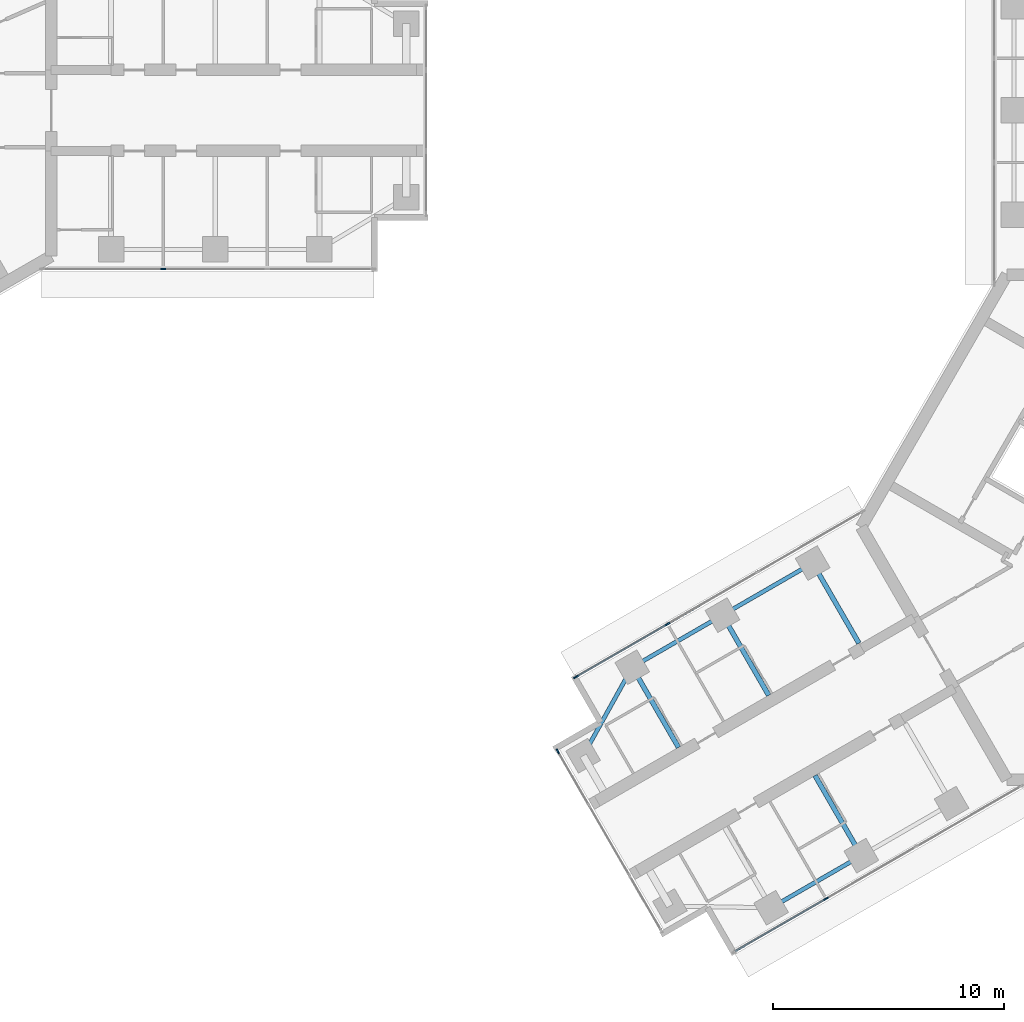
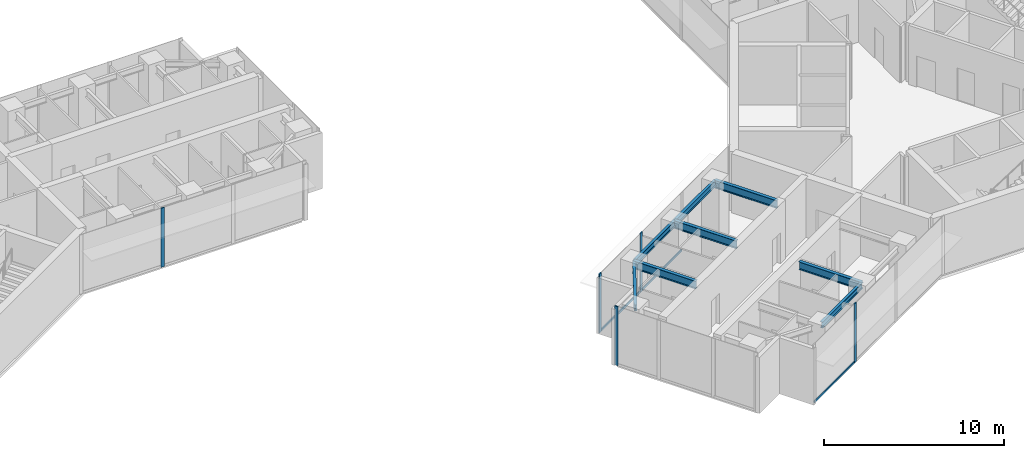
# One storey, part 3 of 18: 8 beams, 8 members, 4 elements without a shape of their own.
"""IFC4 building model written with IfcOpenShell, lengths in metres."""

from ifc_helpers import new_model, si_unit, direction, frame, origin, origin_2d, place, context, subcontext, project, spatial, rectangle, i_section, extrude, material, material_profile, profile_set, type_object, element, aggregate, save


model = new_model("IFC4")

# Units and contexts
model_context = context("Model", 3, precision=1e-05, world=origin(), true_north=direction((0.0, 1.0)))
body_context = subcontext(model_context, "Body", "Model", "MODEL_VIEW")
ifc_project = project(units=[si_unit("LENGTHUNIT", "METRE"), si_unit("AREAUNIT", "SQUARE_METRE"), si_unit("VOLUMEUNIT", "CUBIC_METRE"), si_unit("PLANEANGLEUNIT", "RADIAN"), si_unit("MASSUNIT", "GRAM", prefix="KILO")], contexts=[model_context])

# Site, building, storey
site_placement = place(None, origin())
site = spatial("IfcSite", under=ifc_project, at=site_placement, CompositionType="ELEMENT")
building_placement = place(site_placement, origin())
building = spatial("IfcBuilding", under=site, at=building_placement, Name="Upepo Twin Towers", CompositionType="ELEMENT")
storey_placement = place(building_placement, frame((0.0, 0.0, 222.5)))
storey = spatial("IfcBuildingStorey", under=building, at=storey_placement, Name="L54", CompositionType="ELEMENT", Elevation=222.5)

# Beams
ifc_material_1 = material(Name="Steel S355", Category="steel")
ifc_material_profile_1 = material_profile(ifc_material_1, i_section(OverallWidth=0.177978515625, OverallDepth=0.406494140625, WebThickness=0.0078125, FlangeThickness=0.0126953125, FilletRadius=0.01025390625, at=origin_2d()), Name="UB 406x178x60")
ifc_profile_set_1 = profile_set([ifc_material_profile_1], Name="Steel S355")
beam_type_1 = type_object("IfcBeamType", Name="Beam UB 406x178x60", PredefinedType="BEAM", material=ifc_profile_set_1)
beam_1_placement = place(storey_placement, frame((45.91162109375, -32.196044921875, 3.5966796875), z_axis=(-0.866031096941, -0.499990139034, 0.0), x_axis=(0.499990139034, -0.866031096941, 0.0)))
element("IfcBeam", 1, at=beam_1_placement, inside=storey, type_object=beam_type_1, Name="T2 edge beam BL 18.0-22.5", PredefinedType="BEAM", context=body_context, shape_type="SweptSolid", body=[
    extrude(i_section(OverallWidth=0.177978515625, OverallDepth=0.406494140625, WebThickness=0.0078125, FlangeThickness=0.0126953125, FilletRadius=0.01025390625, at=origin_2d()), origin(), (0.0, 0.0, 1.0), 4.5),
])
beam_2_placement = place(storey_placement, frame((43.80859375, -19.553955078125, 3.5966796875), z_axis=(-0.866017533419, -0.500013631625, 0.0), x_axis=(0.500013631625, -0.866017533419, 0.0)))
element("IfcBeam", 2, at=beam_2_placement, inside=storey, type_object=beam_type_1, Name="T2 edge beam BR 13.5-18.0", PredefinedType="BEAM", context=body_context, shape_type="SweptSolid", body=[
    extrude(i_section(OverallWidth=0.177978515625, OverallDepth=0.406494140625, WebThickness=0.0078125, FlangeThickness=0.0126953125, FilletRadius=0.01025390625, at=origin_2d()), origin(), (0.0, 0.0, 1.0), 4.499755859375),
])
beam_3_placement = place(storey_placement, frame((39.91162109375, -21.803955078125, 3.5966796875), z_axis=(-0.866031096941, -0.499990139034, 0.0), x_axis=(0.499990139034, -0.866031096941, 0.0)))
element("IfcBeam", 3, at=beam_3_placement, inside=storey, type_object=beam_type_1, Name="T2 edge beam BR 18.0-22.5", PredefinedType="BEAM", context=body_context, shape_type="SweptSolid", body=[
    extrude(i_section(OverallWidth=0.177978515625, OverallDepth=0.406494140625, WebThickness=0.0078125, FlangeThickness=0.0126953125, FilletRadius=0.01025390625, at=origin_2d()), origin(), (0.0, 0.0, 1.0), 4.5),
])
beam_4_placement = place(storey_placement, frame((36.014404296875, -24.053955078125, 3.5966796875), z_axis=(-0.485363242752, -0.874312600038, 0.0), x_axis=(0.874312600038, -0.485363242752, 0.0)))
element("IfcBeam", 4, at=beam_4_placement, inside=storey, type_object=beam_type_1, Name="T2 nose edge beam BR", PredefinedType="BEAM", context=body_context, shape_type="SweptSolid", body=[
    extrude(i_section(OverallWidth=0.177978515625, OverallDepth=0.406494140625, WebThickness=0.0078125, FlangeThickness=0.0126953125, FilletRadius=0.01025390625, at=origin_2d()), origin(), (0.0, 0.0, 1.0), 4.373046875),
])
ifc_material_2 = material(Name="Steel S355", Category="steel")
ifc_material_profile_2 = material_profile(ifc_material_2, i_section(OverallWidth=0.209228515625, OverallDepth=0.533203125, WebThickness=0.010009765625, FlangeThickness=0.015625, FilletRadius=0.0126953125, at=origin_2d()), Name="UB 533x210x92")
ifc_profile_set_2 = profile_set([ifc_material_profile_2], Name="Steel S355")
beam_type_2 = type_object("IfcBeamType", Name="Beam UB 533x210x92", PredefinedType="BEAM", material=ifc_profile_set_2)
for number, where, z_axis, x_axis, name in (
    (5, (45.91162109375, -32.196044921875, 3.533447265625), (-0.49999894854, 0.866026010844, 0.0), (-0.866026010844, -0.49999894854, 0.0), "T2 girder BL at 18.0"),
    (6, (43.80859375, -19.553955078125, 3.533447265625), (0.49999894854, -0.866026010844, 0.0), (0.866026010844, 0.49999894854, 0.0), "T2 girder BR at 13.5"),
    (7, (39.91162109375, -21.803955078125, 3.533447265625), (0.49999894854, -0.866026010844, 0.0), (0.866026010844, 0.49999894854, 0.0), "T2 girder BR at 18.0"),
    (8, (36.014404296875, -24.053955078125, 3.533447265625), (0.49999894854, -0.866026010844, 0.0), (0.866026010844, 0.49999894854, 0.0), "T2 girder BR at 22.5"),
):
    element("IfcBeam", number, at=place(storey_placement, frame(where, z_axis=z_axis, x_axis=x_axis)), inside=storey, type_object=beam_type_2, Name=name, PredefinedType="BEAM", context=body_context, shape_type="SweptSolid", body=[
        extrude(i_section(OverallWidth=0.209228515625, OverallDepth=0.533203125, WebThickness=0.010009765625, FlangeThickness=0.015625, FilletRadius=0.0126953125, at=origin_2d()), origin(), (0.0, 0.0, 1.0), 4.0),
    ])

# Curtain wall, member
ifc_material_3 = material(Name="Aluminium and fritted glass", Category="aluminium")
curtain_wall_type = type_object("IfcCurtainWallType", Name="Tower curtain wall TW3, fritted glass", PredefinedType="NOTDEFINED", material=ifc_material_3)
curtain_wall_1_placement = place(storey_placement, origin())
curtain_wall_1 = element("IfcCurtainWall", 9, at=curtain_wall_1_placement, inside=storey, type_object=curtain_wall_type, Name="T1 L54 wing A flank R curtain wall", PredefinedType="NOTDEFINED")
ifc_material_4 = material(Name="Aluminium mullion", Category="aluminium")
ifc_material_profile_3 = material_profile(ifc_material_4, rectangle(XDim=0.06494140625, YDim=0.22509765625, at=origin_2d()), Name="MULLION 65x225")
ifc_profile_set_3 = profile_set([ifc_material_profile_3], Name="Aluminium mullion")
member_type_1 = type_object("IfcMemberType", Name="Mullion 65x225 TW3", PredefinedType="MULLION", material=ifc_profile_set_3)
member_1_placement = place(storey_placement, frame((15.75, -6.85009765625, 0.0), z_axis=(0.0, 0.0, 1.0), x_axis=(0.0, -1.0, 0.0)))
member_1 = element("IfcMember", 10, at=member_1_placement, type_object=member_type_1, Name="T1 L54 wing A flank R curtain wall mullion 3", PredefinedType="MULLION", context=body_context, shape_type="SweptSolid", body=[
    extrude(rectangle(XDim=0.06494140625, YDim=0.22509765625, at=origin_2d()), origin(), (0.0, 0.0, 1.0), 4.0),
])
aggregate(curtain_wall_1, [member_1])

curtain_wall_2_placement = place(storey_placement, origin())
curtain_wall_2 = element("IfcCurtainWall", 11, at=curtain_wall_2_placement, inside=storey, type_object=curtain_wall_type, Name="T2 L54 wing B flank L curtain wall", PredefinedType="NOTDEFINED")
member_2_placement = place(storey_placement, frame((44.387939453125, -34.057373046875, 0.0), z_axis=(0.0, 0.0, 1.0), x_axis=(0.500000026527, -0.866025388469, 0.0)))
member_2 = element("IfcMember", 12, at=member_2_placement, type_object=member_type_1, Name="T2 L54 wing B flank L curtain wall mullion 3", PredefinedType="MULLION", context=body_context, shape_type="SweptSolid", body=[
    extrude(rectangle(XDim=0.06494140625, YDim=0.22509765625, at=origin_2d()), origin(), (0.0, 0.0, 1.0), 4.0),
])

# Curtain wall, members
curtain_wall_3_placement = place(storey_placement, origin())
curtain_wall_3 = element("IfcCurtainWall", 13, at=curtain_wall_3_placement, inside=storey, type_object=curtain_wall_type, Name="T2 L54 wing B flank R curtain wall", PredefinedType="NOTDEFINED")
member_3_placement = place(storey_placement, frame((33.58251953125, -24.4765625, 0.0), z_axis=(0.0, 0.0, 1.0), x_axis=(-0.500000026527, 0.866025388469, 0.0)))
member_3 = element("IfcMember", 14, at=member_3_placement, type_object=member_type_1, Name="T2 L54 wing B flank R curtain wall mullion 1", PredefinedType="MULLION", context=body_context, shape_type="SweptSolid", body=[
    extrude(rectangle(XDim=0.06494140625, YDim=0.22509765625, at=origin_2d()), origin(), (0.0, 0.0, 1.0), 4.0),
])
member_4_placement = place(storey_placement, frame((37.5380859375, -22.192626953125, 0.0), z_axis=(0.0, 0.0, 1.0), x_axis=(-0.500000026527, 0.866025388469, 0.0)))
member_4 = element("IfcMember", 15, at=member_4_placement, type_object=member_type_1, Name="T2 L54 wing B flank R curtain wall mullion 2", PredefinedType="MULLION", context=body_context, shape_type="SweptSolid", body=[
    extrude(rectangle(XDim=0.06494140625, YDim=0.22509765625, at=origin_2d()), origin(), (0.0, 0.0, 1.0), 4.0),
])

# Curtain wall, member
curtain_wall_4_placement = place(storey_placement, origin())
curtain_wall_4 = element("IfcCurtainWall", 16, at=curtain_wall_4_placement, inside=storey, type_object=curtain_wall_type, Name="T2 L54 wing B nose curtain wall", PredefinedType="NOTDEFINED")
member_5_placement = place(storey_placement, frame((32.796875, -27.68115234375, 0.0), z_axis=(0.0, 0.0, 1.0), x_axis=(0.866025386174, 0.500000030502, 0.0)))
member_5 = element("IfcMember", 17, at=member_5_placement, type_object=member_type_1, Name="T2 L54 wing B nose curtain wall mullion 1", PredefinedType="MULLION", context=body_context, shape_type="SweptSolid", body=[
    extrude(rectangle(XDim=0.06494140625, YDim=0.22509765625, at=origin_2d()), origin(), (0.0, 0.0, 1.0), 4.0),
])
aggregate(curtain_wall_4, [member_5])

# Member
ifc_material_5 = material(Name="Aluminium transom", Category="aluminium")
ifc_material_profile_4 = material_profile(ifc_material_5, rectangle(XDim=0.06494140625, YDim=0.14990234375, at=origin_2d()), Name="TRANSOM 65x150")
ifc_profile_set_4 = profile_set([ifc_material_profile_4], Name="Aluminium transom")
member_type_2 = type_object("IfcMemberType", Name="Transom 65x150 TW3", PredefinedType="USERDEFINED", material=ifc_profile_set_4)
member_6_placement = place(storey_placement, frame((44.35986328125, -34.073486328125, 0.074951171875), z_axis=(-0.866035699072, -0.499982167615, 0.0), x_axis=(0.499982167615, -0.866035699072, 0.0)))
member_6 = element("IfcMember", 18, at=member_6_placement, type_object=member_type_2, Name="T2 L54 wing B flank L curtain wall transom 3", ObjectType="TRANSOM", PredefinedType="USERDEFINED", context=body_context, shape_type="SweptSolid", body=[
    extrude(rectangle(XDim=0.06494140625, YDim=0.14990234375, at=origin_2d()), origin(), (0.0, 0.0, 1.0), 4.502685546875),
])

aggregate(curtain_wall_2, [member_2, member_6])

member_7_placement = place(storey_placement, frame((33.610595703125, -24.460205078125, 0.074951171875), z_axis=(0.866022143554, 0.500005646842, 0.0), x_axis=(-0.500005646842, 0.866022143554, 0.0)))
member_7 = element("IfcMember", 19, at=member_7_placement, type_object=member_type_2, Name="T2 L54 wing B flank R curtain wall transom 1", ObjectType="TRANSOM", PredefinedType="USERDEFINED", context=body_context, shape_type="SweptSolid", body=[
    extrude(rectangle(XDim=0.06494140625, YDim=0.14990234375, at=origin_2d()), origin(), (0.0, 0.0, 1.0), 4.50244140625),
])

member_8_placement = place(storey_placement, frame((37.566162109375, -22.176513671875, 0.074951171875), z_axis=(0.866022410713, 0.500005184116, 0.0), x_axis=(-0.500005184116, 0.866022410713, 0.0)))
member_8 = element("IfcMember", 20, at=member_8_placement, type_object=member_type_2, Name="T2 L54 wing B flank R curtain wall transom 2", ObjectType="TRANSOM", PredefinedType="USERDEFINED", context=body_context, shape_type="SweptSolid", body=[
    extrude(rectangle(XDim=0.06494140625, YDim=0.14990234375, at=origin_2d()), origin(), (0.0, 0.0, 1.0), 4.43505859375),
])

aggregate(curtain_wall_3, [member_3, member_4, member_7, member_8])

save(model, "model.ifc")
